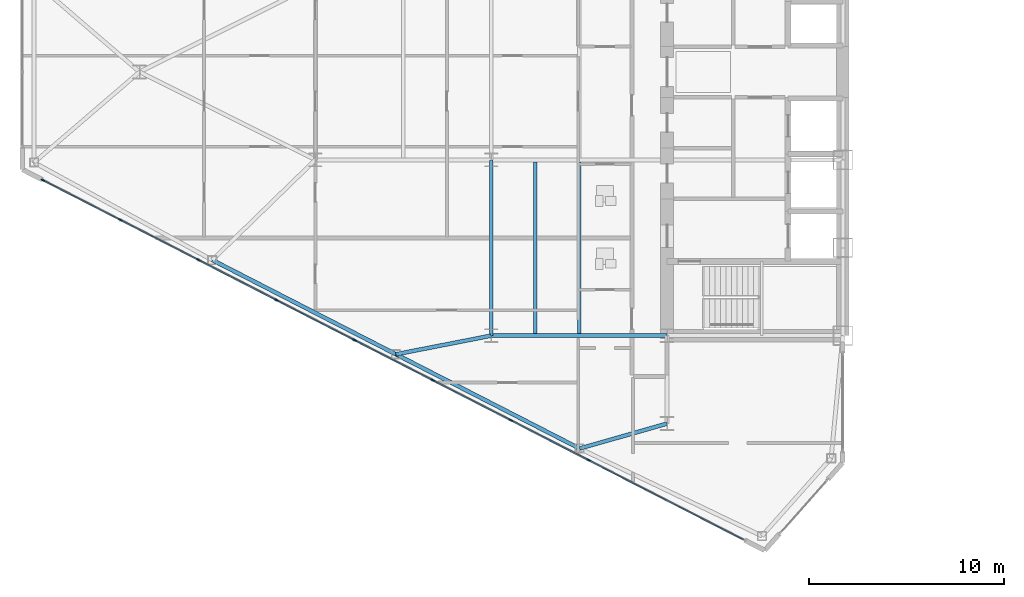
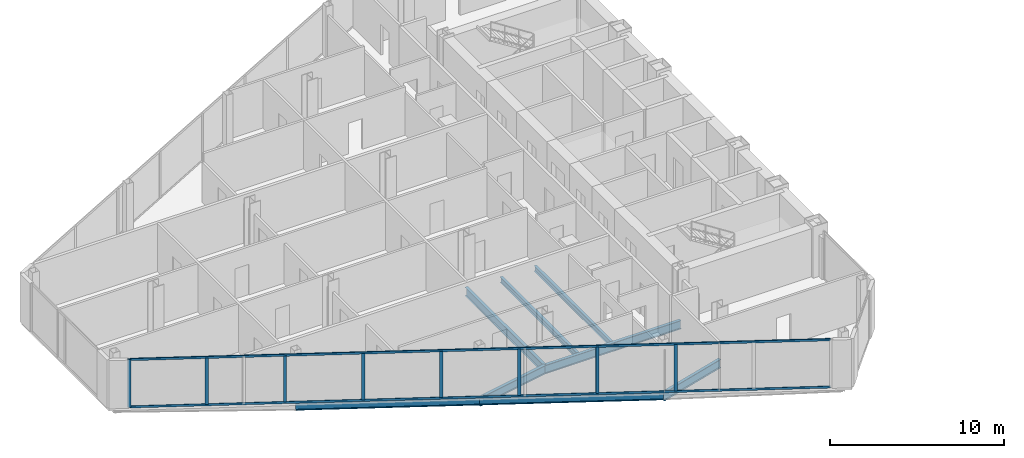
# One storey, part 3 of 24: 10 members, 8 beams, 1 element without a shape of its own.
"""IFC4 building model written with IfcOpenShell, lengths in metres."""

from ifc_helpers import new_model, si_unit, direction, frame, origin, origin_2d, place, context, subcontext, project, spatial, rectangle, i_section, extrude, source, transform, mapped, material, layer, layer_set, material_profile, profile_set, type_object, type_shapes, element, aggregate, save


model = new_model("IFC4")

# Units and contexts
model_context = context("Model", 3, precision=1e-05, world=origin(), true_north=direction((0.0, 1.0)))
body_context = subcontext(model_context, "Body", "Model", "MODEL_VIEW")
ifc_project = project(units=[si_unit("LENGTHUNIT", "METRE"), si_unit("AREAUNIT", "SQUARE_METRE"), si_unit("VOLUMEUNIT", "CUBIC_METRE"), si_unit("PLANEANGLEUNIT", "RADIAN"), si_unit("MASSUNIT", "GRAM", prefix="KILO")], contexts=[model_context])

# Site, building, storey
site_placement = place(None, origin())
site = spatial("IfcSite", under=ifc_project, at=site_placement, CompositionType="ELEMENT")
building_placement = place(site_placement, origin())
building = spatial("IfcBuilding", under=site, at=building_placement, Name="Seokmaru Belvedere", CompositionType="ELEMENT")
storey_placement = place(building_placement, frame((0.0, 0.0, 114.0)))
storey = spatial("IfcBuildingStorey", under=building, at=storey_placement, Name="L30", CompositionType="ELEMENT", Elevation=114.0)

# Beams
ifc_material_1 = material(Name="Steel SM355 (355 MPa)", Category="steel")
ifc_material_profile_1 = material_profile(ifc_material_1, i_section(OverallWidth=0.199951171875, OverallDepth=0.60009765625, WebThickness=0.010986328125, FlangeThickness=0.01708984375, at=origin_2d()), Name="H-600x200x11x17")
ifc_profile_set_1 = profile_set([ifc_material_profile_1], Name="Steel SM355 (355 MPa)")
beam_type_1 = type_object("IfcBeamType", Name="Primary Floor Girder H-600", PredefinedType="BEAM", material=ifc_profile_set_1)
shared_shape_1 = source(origin(), body_context, "Body", "SweptSolid", [
    extrude(i_section(OverallWidth=0.199951171875, OverallDepth=0.60009765625, WebThickness=0.010986328125, FlangeThickness=0.01708984375, at=origin_2d()), origin(), (0.0, 0.0, 1.0), 9.0),
])
for number, where, z_axis, x_axis, name in (
    (1, (-45.5, -13.5, -0.52001953125), (0.0, 1.0, 0.0), (-1.0, 0.0, 0.0), "L30 W Interior Grid Girder 1"),
    (2, (-45.5, -13.5, -0.52001953125), (1.0, 0.0, 0.0), (0.0, 1.0, 0.0), "L30 W Wing Primary Girder 1"),
):
    element("IfcBeam", number, at=place(storey_placement, frame(where, z_axis=z_axis, x_axis=x_axis)), inside=storey, type_object=beam_type_1, Name=name, PredefinedType="BEAM", context=body_context, shape_type="MappedRepresentation", body=[
        mapped(shared_shape_1, transform((0.0, 0.0, 0.0), scale=1.0)),
    ])
ifc_material_profile_2 = material_profile(ifc_material_1, i_section(OverallWidth=0.18505859375, OverallDepth=0.389892578125, WebThickness=0.008056640625, FlangeThickness=0.011962890625, at=origin_2d()), Name="H-390x185x8x12")
ifc_profile_set_2 = profile_set([ifc_material_profile_2], Name="Steel SM355 (355 MPa)")
beam_type_2 = type_object("IfcBeamType", Name="Secondary Floor Joist H-350", PredefinedType="JOIST", material=ifc_profile_set_2)
shared_shape_2 = source(origin(), body_context, "Body", "SweptSolid", [
    extrude(i_section(OverallWidth=0.18505859375, OverallDepth=0.389892578125, WebThickness=0.008056640625, FlangeThickness=0.011962890625, at=origin_2d()), origin(), (0.0, 0.0, 1.0), 8.7900390625),
])
type_shapes(beam_type_2, [shared_shape_2])
for number, where, z_axis, x_axis, name in (
    (3, (-43.25, -13.39501953125, -0.4150390625), (0.0, 1.0, 0.0), (-1.0, 0.0, 0.0), "L30 W Wing Inner Secondary Joist 1"),
    (4, (-41.0, -13.39501953125, -0.4150390625), (0.0, 1.0, 0.0), (-1.0, 0.0, 0.0), "L30 W Secondary Floor Joist 1"),
):
    element("IfcBeam", number, at=place(storey_placement, frame(where, z_axis=z_axis, x_axis=x_axis)), inside=storey, type_object=beam_type_2, Name=name, PredefinedType="JOIST", context=body_context, shape_type="MappedRepresentation", body=[
        mapped(shared_shape_2, transform((0.0, 0.0, 0.0), scale=1.0)),
    ])
ifc_material_profile_3 = material_profile(ifc_material_1, i_section(OverallWidth=0.199951171875, OverallDepth=0.5, WebThickness=0.010009765625, FlangeThickness=0.01611328125, at=origin_2d()), Name="H-500x200x10x16")
ifc_profile_set_3 = profile_set([ifc_material_profile_3], Name="Steel SM355 (355 MPa)")
beam_type_3 = type_object("IfcBeamType", Name="Perimeter Spandrel Beam H-500", PredefinedType="SPANDREL", material=ifc_profile_set_3)
shared_shape_3 = source(origin(), body_context, "Body", "SweptSolid", [
    extrude(i_section(OverallWidth=0.199951171875, OverallDepth=0.5, WebThickness=0.010009765625, FlangeThickness=0.01611328125, at=origin_2d()), origin(), (0.0, 0.0, 1.0), 10.56689453125),
])
type_shapes(beam_type_3, [shared_shape_3])
for number, where, z_axis, x_axis, name in (
    (5, (-40.975830078125, -19.277587890625, -0.469970703125), (-0.889701972758, 0.45654178305, 0.0), (-0.45654178305, -0.889701972758, 0.0), "L30 W Faceted Flank Spandrel S-2"),
    (6, (-50.377197265625, -14.453369140625, -0.469970703125), (-0.889692588006, 0.456560071455, 0.0), (-0.456560071455, -0.889692588006, 0.0), "L30 W Faceted Flank Spandrel S-3"),
):
    element("IfcBeam", number, at=place(storey_placement, frame(where, z_axis=z_axis, x_axis=x_axis)), inside=storey, type_object=beam_type_3, Name=name, PredefinedType="SPANDREL", context=body_context, shape_type="MappedRepresentation", body=[
        mapped(shared_shape_3, transform((0.0, 0.0, 0.0), scale=1.0)),
    ])
shared_shape_4 = source(origin(), body_context, "Body", "SweptSolid", [
    extrude(i_section(OverallWidth=0.199951171875, OverallDepth=0.60009765625, WebThickness=0.010986328125, FlangeThickness=0.01708984375, at=origin_2d()), origin(), (0.0, 0.0, 1.0), 4.654541015625),
])
beam_1_placement = place(storey_placement, frame((-40.975830078125, -19.277587890625, -0.52001953125), z_axis=(0.961593192625, 0.274478654721, 0.0), x_axis=(-0.274478654721, 0.961593192625, 0.0)))
element("IfcBeam", 7, at=beam_1_placement, inside=storey, type_object=beam_type_1, Name="L30 W Flank Radial Floor Girder S-1", PredefinedType="BEAM", context=body_context, shape_type="MappedRepresentation", body=[
    mapped(shared_shape_4, transform((0.0, 0.0, 0.0), scale=1.0)),
])
shared_shape_5 = source(origin(), body_context, "Body", "SweptSolid", [
    extrude(i_section(OverallWidth=0.199951171875, OverallDepth=0.60009765625, WebThickness=0.010986328125, FlangeThickness=0.01708984375, at=origin_2d()), origin(), (0.0, 0.0, 1.0), 4.969482421875),
])
type_shapes(beam_type_1, [shared_shape_1, shared_shape_4, shared_shape_5])
beam_2_placement = place(storey_placement, frame((-50.377197265625, -14.453369140625, -0.52001953125), z_axis=(0.98142544456, 0.19184393858, 0.0), x_axis=(-0.19184393858, 0.98142544456, 0.0)))
element("IfcBeam", 8, at=beam_2_placement, inside=storey, type_object=beam_type_1, Name="L30 W Flank Radial Floor Girder S-2", PredefinedType="BEAM", context=body_context, shape_type="MappedRepresentation", body=[
    mapped(shared_shape_5, transform((0.0, 0.0, 0.0), scale=1.0)),
])

# Curtain wall, members
ifc_material_2 = material(Name="Bronze Triple Insulating Glass", Category="glass")
ifc_layer = layer(ifc_material_2, 0.195068359375)
ifc_layer_set = layer_set([ifc_layer], Name="Bronze Triple Insulating Glass")
curtain_wall_type = type_object("IfcCurtainWallType", Name="Sky-Lobby and Mid-Rise Curtain Wall System CW-4", PredefinedType="NOTDEFINED", material=ifc_layer_set)
curtain_wall_placement = place(storey_placement, origin())
curtain_wall = element("IfcCurtainWall", 9, at=curtain_wall_placement, inside=storey, type_object=curtain_wall_type, Name="L30 Curtain Wall WF5", PredefinedType="NOTDEFINED")
ifc_material_3 = material(Name="Anodised Bronze Aluminium", Category="aluminium")
ifc_material_profile_4 = material_profile(ifc_material_3, rectangle(XDim=0.070068359375, YDim=0.195068359375, at=origin_2d()), Name="CW-M-70x195")
ifc_profile_set_4 = profile_set([ifc_material_profile_4], Name="Anodised Bronze Aluminium")
member_type_1 = type_object("IfcMemberType", Name="Bronze Unitised Mullion 70x195", PredefinedType="MULLION", material=ifc_profile_set_4)
shared_shape_6 = source(origin(), body_context, "Body", "SweptSolid", [
    extrude(rectangle(XDim=0.070068359375, YDim=0.195068359375, at=origin_2d()), origin(), (0.0, 0.0, 1.0), 3.3798828125),
])
member_1_placement = place(storey_placement, frame((-68.44580078125, -5.541015625, 0.0), z_axis=(0.0, 0.0, 1.0), x_axis=(0.456554528263, 0.889695432562, 0.0)))
member_1 = element("IfcMember", 10, at=member_1_placement, type_object=member_type_1, Name="CW:L30:WF5 Mullion 1", PredefinedType="MULLION", context=body_context, shape_type="MappedRepresentation", body=[
    mapped(shared_shape_6, transform((0.0, 0.0, 0.0), scale=1.0)),
])
shared_shape_7 = source(origin(), body_context, "Body", "SweptSolid", [
    extrude(rectangle(XDim=0.070068359375, YDim=0.195068359375, at=origin_2d()), origin(), (0.0, 0.0, 1.0), 3.25),
])
type_shapes(member_type_1, [shared_shape_6, shared_shape_7])
member_2_placement = place(storey_placement, frame((-64.48193359375, -7.574951171875, 0.06494140625), z_axis=(0.0, 0.0, 1.0), x_axis=(0.456554528263, 0.889695432562, 0.0)))
member_2 = element("IfcMember", 11, at=member_2_placement, type_object=member_type_1, Name="CW:L30:WF5 Mullion 2", PredefinedType="MULLION", context=body_context, shape_type="MappedRepresentation", body=[
    mapped(shared_shape_7, transform((0.0, 0.0, 0.0), scale=1.0)),
])
member_3_placement = place(storey_placement, frame((-60.4873046875, -9.625, 0.06494140625), z_axis=(0.0, 0.0, 1.0), x_axis=(0.456554528263, 0.889695432562, 0.0)))
member_3 = element("IfcMember", 12, at=member_3_placement, type_object=member_type_1, Name="CW:L30:WF5 Mullion 3", PredefinedType="MULLION", context=body_context, shape_type="MappedRepresentation", body=[
    mapped(shared_shape_7, transform((0.0, 0.0, 0.0), scale=1.0)),
])
member_4_placement = place(storey_placement, frame((-56.4921875, -11.675048828125, 0.06494140625), z_axis=(0.0, 0.0, 1.0), x_axis=(0.456554528263, 0.889695432562, 0.0)))
member_4 = element("IfcMember", 13, at=member_4_placement, type_object=member_type_1, Name="CW:L30:WF5 Mullion 4", PredefinedType="MULLION", context=body_context, shape_type="MappedRepresentation", body=[
    mapped(shared_shape_7, transform((0.0, 0.0, 0.0), scale=1.0)),
])
member_5_placement = place(storey_placement, frame((-52.497314453125, -13.72509765625, 0.06494140625), z_axis=(0.0, 0.0, 1.0), x_axis=(0.456554528263, 0.889695432562, 0.0)))
member_5 = element("IfcMember", 14, at=member_5_placement, type_object=member_type_1, Name="CW:L30:WF5 Mullion 5", PredefinedType="MULLION", context=body_context, shape_type="MappedRepresentation", body=[
    mapped(shared_shape_7, transform((0.0, 0.0, 0.0), scale=1.0)),
])
member_6_placement = place(storey_placement, frame((-48.502685546875, -15.77490234375, 0.06494140625), z_axis=(0.0, 0.0, 1.0), x_axis=(0.456554528263, 0.889695432562, 0.0)))
member_6 = element("IfcMember", 15, at=member_6_placement, type_object=member_type_1, Name="CW:L30:WF5 Mullion 6", PredefinedType="MULLION", context=body_context, shape_type="MappedRepresentation", body=[
    mapped(shared_shape_7, transform((0.0, 0.0, 0.0), scale=1.0)),
])
member_7_placement = place(storey_placement, frame((-44.5078125, -17.824951171875, 0.06494140625), z_axis=(0.0, 0.0, 1.0), x_axis=(0.456554528263, 0.889695432562, 0.0)))
member_7 = element("IfcMember", 16, at=member_7_placement, type_object=member_type_1, Name="CW:L30:WF5 Mullion 7", PredefinedType="MULLION", context=body_context, shape_type="MappedRepresentation", body=[
    mapped(shared_shape_7, transform((0.0, 0.0, 0.0), scale=1.0)),
])
member_8_placement = place(storey_placement, frame((-40.5126953125, -19.875, 0.06494140625), z_axis=(0.0, 0.0, 1.0), x_axis=(0.456554528263, 0.889695432562, 0.0)))
member_8 = element("IfcMember", 17, at=member_8_placement, type_object=member_type_1, Name="CW:L30:WF5 Mullion 8", PredefinedType="MULLION", context=body_context, shape_type="MappedRepresentation", body=[
    mapped(shared_shape_7, transform((0.0, 0.0, 0.0), scale=1.0)),
])
ifc_material_profile_5 = material_profile(ifc_material_3, rectangle(XDim=0.06494140625, YDim=0.14990234375, at=origin_2d()), Name="CW-T-65x150")
ifc_profile_set_5 = profile_set([ifc_material_profile_5], Name="Anodised Bronze Aluminium")
member_type_2 = type_object("IfcMemberType", Name="Bronze Unitised Transom 65x150", PredefinedType="USERDEFINED", material=ifc_profile_set_5)
shared_shape_8 = source(origin(), body_context, "Body", "SweptSolid", [
    extrude(rectangle(XDim=0.06494140625, YDim=0.14990234375, at=origin_2d()), origin(), (0.0, 0.0, 1.0), 40.271240234375),
])
type_shapes(member_type_2, [shared_shape_8])
member_9_placement = place(storey_placement, frame((-68.41455078125, -5.556884765625, 0.032470703125), z_axis=(0.889693089107, -0.456559094965, 0.0), x_axis=(0.456559094965, 0.889693089107, 0.0)))
member_9 = element("IfcMember", 18, at=member_9_placement, type_object=member_type_2, Name="CW:L30:WF5 Continuous Transom 1", ObjectType="TRANSOM", PredefinedType="USERDEFINED", context=body_context, shape_type="MappedRepresentation", body=[
    mapped(shared_shape_8, transform((0.0, 0.0, 0.0), scale=1.0)),
])
member_10_placement = place(storey_placement, frame((-68.41455078125, -5.556884765625, 3.347412109375), z_axis=(0.889693089107, -0.456559094965, 0.0), x_axis=(0.456559094965, 0.889693089107, 0.0)))
member_10 = element("IfcMember", 19, at=member_10_placement, type_object=member_type_2, Name="CW:L30:WF5 Continuous Transom 2", ObjectType="TRANSOM", PredefinedType="USERDEFINED", context=body_context, shape_type="MappedRepresentation", body=[
    mapped(shared_shape_8, transform((0.0, 0.0, 0.0), scale=1.0)),
])
aggregate(curtain_wall, [member_1, member_2, member_3, member_4, member_5, member_6, member_7, member_8, member_9, member_10])

save(model, "model.ifc")
